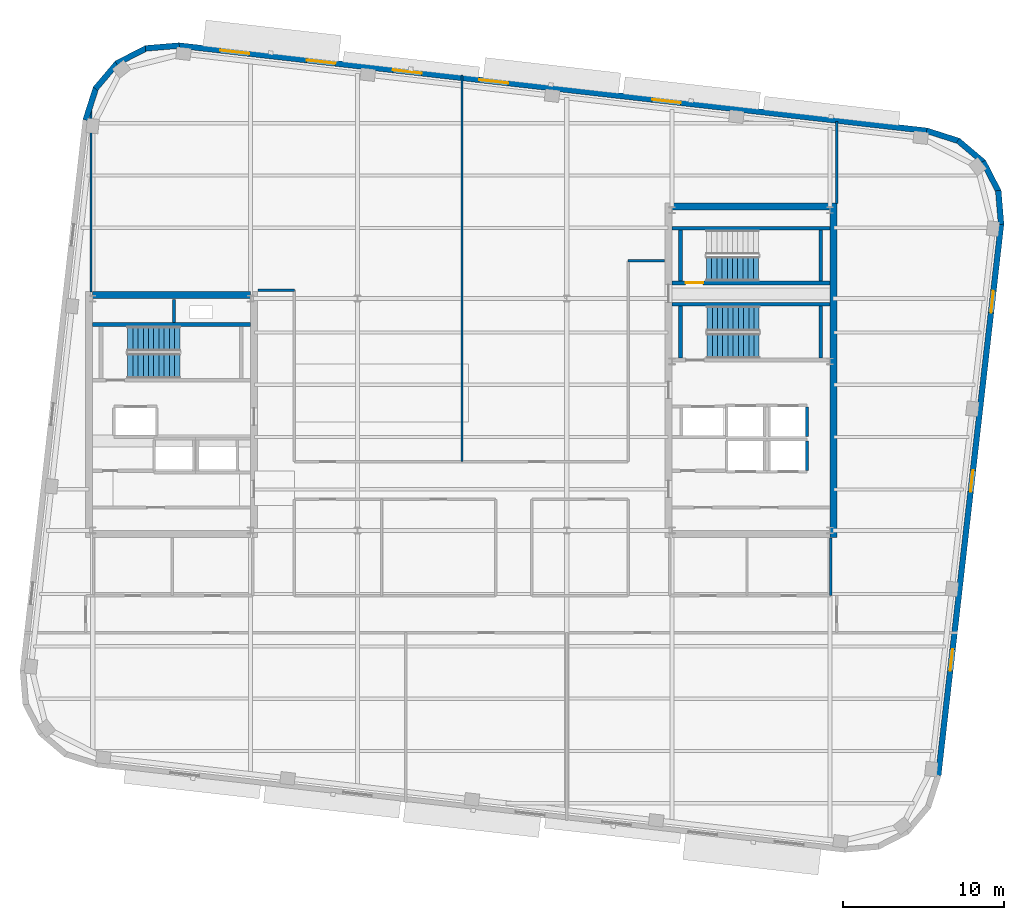
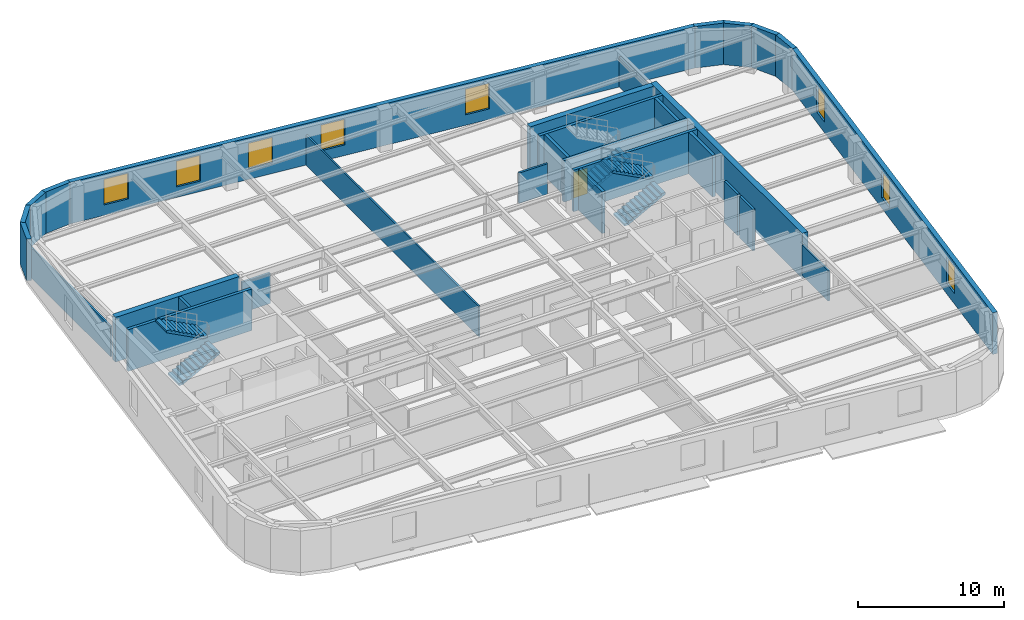
# One storey, part 8 of 13: 30 walls, 8 windows, 5 stair flights, 1 door, 9 openings, 3 elements without a shape of their own.
"""IFC4 building model written with IfcOpenShell, lengths in metres."""

from ifc_helpers import new_model, si_unit, direction, frame, frame_2d, origin, place, context, subcontext, project, spatial, polyline, rectangle, outline, extrude, material, layer, layer_set, type_object, element, fill, aggregate, save


model = new_model("IFC4")

# Units and contexts
model_context = context("Model", 3, precision=1e-05, world=origin(), true_north=direction((0.0, 1.0)))
body_context = subcontext(model_context, "Body", "Model", "MODEL_VIEW")
ifc_project = project(units=[si_unit("LENGTHUNIT", "METRE"), si_unit("AREAUNIT", "SQUARE_METRE"), si_unit("VOLUMEUNIT", "CUBIC_METRE"), si_unit("PLANEANGLEUNIT", "RADIAN"), si_unit("MASSUNIT", "GRAM", prefix="KILO")], contexts=[model_context])

# Site, building, storey
site_placement = place(None, origin())
site = spatial("IfcSite", under=ifc_project, at=site_placement, CompositionType="ELEMENT")
building_placement = place(site_placement, origin())
building = spatial("IfcBuilding", under=site, at=building_placement, Name="Kolvaren Arena Tower", CompositionType="ELEMENT")
storey_placement = place(building_placement, frame((0.0, 0.0, 262.199951171875)))
storey = spatial("IfcBuildingStorey", under=building, at=storey_placement, Name="L64", CompositionType="ELEMENT", Elevation=262.199951171875)

# Walls
ifc_material_1 = material(Name="Gypsum board acoustic assembly", Category="gypsum")
ifc_layer_1 = layer(ifc_material_1, 0.159912109375)
ifc_layer_set_1 = layer_set([ifc_layer_1], Name="Gypsum board acoustic assembly")
wall_type_1 = type_object("IfcWallType", Name="CORR-160", PredefinedType="PARTITIONING", material=ifc_layer_set_1)
for number, where, z_axis, x_axis, name in (
    (1, (24.820068359375, 34.3798828125, 0.0), (0.0, 0.0, 1.0), (1.0, 0.0, 0.0), "Interior Partition Wall (L64)"),
    (2, (47.820068359375, 36.199951171875, 0.0), (0.0, 0.0, 1.0), (1.0, 0.0, 0.0), "Interior Partition Wall (L64)"),
):
    element("IfcWall", number, at=place(storey_placement, frame(where, z_axis=z_axis, x_axis=x_axis)), inside=storey, type_object=wall_type_1, Name=name, PredefinedType="PARTITIONING", context=body_context, shape_type="SweptSolid", body=[
        extrude(rectangle(XDim=2.260009765625, YDim=0.159912109375, at=frame_2d((1.1298828125, 0.0))), origin(), (0.0, 0.0, 1.0), 2.5400390625),
    ])
ifc_material_2 = material(Name="Concrete 55 MPa", Category="concrete")
ifc_layer_2 = layer(ifc_material_2, 0.449951171875)
ifc_layer_set_2 = layer_set([ifc_layer_2], Name="Concrete 55 MPa")
wall_type_2 = type_object("IfcWallType", Name="CWALL-450", PredefinedType="SHEAR", material=ifc_layer_set_2)
wall_1_placement = place(storey_placement, frame((14.550048828125, 34.074951171875, -0.27001953125), z_axis=(0.0, 0.0, 1.0), x_axis=(1.0, 0.0, 0.0)))
element("IfcWall", 3, at=wall_1_placement, inside=storey, type_object=wall_type_2, Name="Core Shear Wall WC-NORTH (L64)", PredefinedType="SHEAR", context=body_context, shape_type="SweptSolid", body=[
    extrude(rectangle(XDim=9.800048828125, YDim=0.449951171875, at=frame_2d((4.89990234375, 0.0))), origin(), (0.0, 0.0, 1.0), 3.75),
])
wall_2_placement = place(storey_placement, frame((60.574951171875, 19.0, -0.27001953125), z_axis=(0.0, 0.0, 1.0), x_axis=(0.0, 1.0, 0.0)))
element("IfcWall", 4, at=wall_2_placement, inside=storey, type_object=wall_type_2, Name="Core Shear Wall EC-EAST (L64)", PredefinedType="SHEAR", context=body_context, shape_type="SweptSolid", body=[
    extrude(rectangle(XDim=20.800048828125, YDim=0.449951171875, at=frame_2d((10.39990234375, 0.0))), origin(), (0.0, 0.0, 1.0), 3.75),
])
wall_3_placement = place(storey_placement, frame((50.550048828125, 39.574951171875, -0.27001953125), z_axis=(0.0, 0.0, 1.0), x_axis=(1.0, 0.0, 0.0)))
element("IfcWall", 5, at=wall_3_placement, inside=storey, type_object=wall_type_2, Name="Core Shear Wall EC-NORTH (L64)", PredefinedType="SHEAR", context=body_context, shape_type="SweptSolid", body=[
    extrude(rectangle(XDim=9.800048828125, YDim=0.449951171875, at=frame_2d((4.89990234375, 0.0))), origin(), (0.0, 0.0, 1.0), 3.75),
])

# Wall, openings, windows
ifc_material_3 = material(Name="Precast concrete C50/60", Category="concrete")
ifc_layer_3 = layer(ifc_material_3, 0.360107421875)
ifc_layer_set_3 = layer_set([ifc_layer_3], Name="Precast concrete C50/60")
wall_type_3 = type_object("IfcWallType", Name="EXT-PIER2", PredefinedType="SOLIDWALL", material=ifc_layer_set_3)
wall_4_placement = place(storey_placement, frame((70.98876953125, 38.499267578125, 0.0), z_axis=(0.0, 0.0, 1.0), x_axis=(-0.113203107947, -0.993571867733, 0.0)))
wall_4 = element("IfcWall", 6, at=wall_4_placement, inside=storey, type_object=wall_type_3, Name="Exterior Precast Masonry-Frame Wall (L64)", PredefinedType="SOLIDWALL", context=body_context, shape_type="SweptSolid", body=[
    extrude(rectangle(XDim=34.5, YDim=0.360107421875, at=frame_2d((17.25, 0.0))), origin(), (0.0, 0.0, 1.0), 3.47998046875),
])
opening_1_placement = place(wall_4_placement, frame((4.199951171875, 0.0, 0.8798828125)))
opening_1 = element("IfcOpeningElement", 7, at=opening_1_placement, cuts=wall_4, Name="Opening W04", PredefinedType="OPENING", context=body_context, shape_type="SweptSolid", body=[
    extrude(rectangle(XDim=1.35009765625, YDim=2.199951171875, at=frame_2d((0.675048828125, 1.10009765625))), frame((0.0, 0.18994140625, 0.0), z_axis=(0.0, -1.0, 0.0), x_axis=(1.0, 0.0, 0.0)), (0.0, 0.0, 1.0), 0.380126953125),
])
opening_2_placement = place(wall_4_placement, frame((15.39990234375, 0.0, 0.8798828125)))
opening_2 = element("IfcOpeningElement", 8, at=opening_2_placement, cuts=wall_4, Name="Opening W04", PredefinedType="OPENING", context=body_context, shape_type="SweptSolid", body=[
    extrude(rectangle(XDim=1.35009765625, YDim=2.199951171875, at=frame_2d((0.675048828125, 1.10009765625))), frame((0.0, 0.18994140625, 0.0), z_axis=(0.0, -1.0, 0.0), x_axis=(1.0, 0.0, 0.0)), (0.0, 0.0, 1.0), 0.380126953125),
])
opening_3_placement = place(wall_4_placement, frame((26.60009765625, 0.0, 0.8798828125)))
opening_3 = element("IfcOpeningElement", 9, at=opening_3_placement, cuts=wall_4, Name="Opening W04", PredefinedType="OPENING", context=body_context, shape_type="SweptSolid", body=[
    extrude(rectangle(XDim=1.35009765625, YDim=2.199951171875, at=frame_2d((0.675048828125, 1.10009765625))), frame((0.0, 0.18994140625, 0.0), z_axis=(0.0, -1.0, 0.0), x_axis=(1.0, 0.0, 0.0)), (0.0, 0.0, 1.0), 0.380126953125),
])
ifc_material_4 = material(Name="Triple-glazed curved-facet corner window", Category="glass")
window_type_1 = type_object("IfcWindowType", Name="WIN-CRN-A", PartitioningType="SINGLE_PANEL", PredefinedType="WINDOW", material=ifc_material_4)
window_1_placement = place(opening_1_placement, origin())
window_1 = element("IfcWindow", 10, at=window_1_placement, inside=storey, type_object=window_type_1, Name="End-Wall Punched Window (L64)", OverallHeight=2.199951171875, OverallWidth=1.35009765625, PartitioningType="SINGLE_PANEL", PredefinedType="WINDOW", context=body_context, shape_type="SweptSolid", body=[
    extrude(rectangle(XDim=1.35009765625, YDim=2.199951171875, at=frame_2d((0.675048828125, 1.10009765625))), frame((0.0, 0.030029296875, 0.0), z_axis=(0.0, -1.0, 0.0), x_axis=(1.0, 0.0, 0.0)), (0.0, 0.0, 1.0), 0.06005859375),
])
fill(opening_1, window_1)
window_2_placement = place(opening_2_placement, origin())
window_2 = element("IfcWindow", 11, at=window_2_placement, inside=storey, type_object=window_type_1, Name="End-Wall Punched Window (L64)", OverallHeight=2.199951171875, OverallWidth=1.35009765625, PartitioningType="SINGLE_PANEL", PredefinedType="WINDOW", context=body_context, shape_type="SweptSolid", body=[
    extrude(rectangle(XDim=1.35009765625, YDim=2.199951171875, at=frame_2d((0.675048828125, 1.10009765625))), frame((0.0, 0.030029296875, 0.0), z_axis=(0.0, -1.0, 0.0), x_axis=(1.0, 0.0, 0.0)), (0.0, 0.0, 1.0), 0.06005859375),
])
fill(opening_2, window_2)
window_3_placement = place(opening_3_placement, origin())
window_3 = element("IfcWindow", 12, at=window_3_placement, inside=storey, type_object=window_type_1, Name="End-Wall Punched Window (L64)", OverallHeight=2.199951171875, OverallWidth=1.35009765625, PartitioningType="SINGLE_PANEL", PredefinedType="WINDOW", context=body_context, shape_type="SweptSolid", body=[
    extrude(rectangle(XDim=1.35009765625, YDim=2.199951171875, at=frame_2d((0.675048828125, 1.10009765625))), frame((0.0, 0.030029296875, 0.0), z_axis=(0.0, -1.0, 0.0), x_axis=(1.0, 0.0, 0.0)), (0.0, 0.0, 1.0), 0.06005859375),
])
fill(opening_3, window_3)

# Walls
wall_5_placement = place(storey_placement, frame((70.813720703125, 40.563720703125, 0.0), z_axis=(0.0, 0.0, 1.0), x_axis=(0.082853678144, -0.996561723135, 0.0)))
element("IfcWall", 13, at=wall_5_placement, inside=storey, type_object=wall_type_3, Name="Exterior Precast Masonry-Frame Wall (L64)", PredefinedType="SOLIDWALL", context=body_context, shape_type="SweptSolid", body=[
    extrude(rectangle(XDim=2.10693359375, YDim=0.360107421875, at=frame_2d((1.053466796875, 0.0))), origin(), (0.0, 0.0, 1.0), 3.47998046875),
])
for number, where, z_axis, x_axis, name in (
    (14, (69.868408203125, 42.369384765625, 0.0), (0.0, 0.0, 1.0), (0.457887222333, -0.889010287693, 0.0), "Exterior Precast Masonry-Frame Wall (L64)"),
    (15, (68.303955078125, 43.67578125, 0.0), (0.0, 0.0, 1.0), (0.763192878975, -0.646170743289, 0.0), "Exterior Precast Masonry-Frame Wall (L64)"),
    (16, (66.358642578125, 44.283935546875, 0.0), (0.0, 0.0, 1.0), (0.952403965565, -0.304838787518, 0.0), "Exterior Precast Masonry-Frame Wall (L64)"),
):
    element("IfcWall", number, at=place(storey_placement, frame(where, z_axis=z_axis, x_axis=x_axis)), inside=storey, type_object=wall_type_3, Name=name, PredefinedType="SOLIDWALL", context=body_context, shape_type="SweptSolid", body=[
        extrude(rectangle(XDim=2.107177734375, YDim=0.360107421875, at=frame_2d((1.0537109375, 0.0))), origin(), (0.0, 0.0, 1.0), 3.47998046875),
    ])

# Wall, openings, windows
wall_6_placement = place(storey_placement, frame((19.89404296875, 49.57470703125, 0.0), z_axis=(0.0, 0.0, 1.0), x_axis=(0.993571439016, -0.113206870688, 0.0)))
wall_6 = element("IfcWall", 17, at=wall_6_placement, inside=storey, type_object=wall_type_3, Name="Exterior Precast Masonry-Frame Wall (L64)", PredefinedType="SOLIDWALL", context=body_context, shape_type="SweptSolid", body=[
    extrude(rectangle(XDim=46.800048828125, YDim=0.360107421875, at=frame_2d((23.39990234375, 0.0))), origin(), (0.0, 0.0, 1.0), 3.47998046875),
])
opening_4_placement = place(wall_6_placement, frame((2.60009765625, 0.0, 0.8798828125)))
opening_4 = element("IfcOpeningElement", 18, at=opening_4_placement, cuts=wall_6, Name="Opening W02", PredefinedType="OPENING", context=body_context, shape_type="SweptSolid", body=[
    extrude(rectangle(XDim=1.800048828125, YDim=2.14990234375, at=frame_2d((0.89990234375, 1.074951171875))), frame((0.0, 0.18994140625, 0.0), z_axis=(0.0, -1.0, 0.0), x_axis=(1.0, 0.0, 0.0)), (0.0, 0.0, 1.0), 0.380126953125),
])
opening_5_placement = place(wall_6_placement, frame((8.0, 0.0, 0.8798828125)))
opening_5 = element("IfcOpeningElement", 19, at=opening_5_placement, cuts=wall_6, Name="Opening W02", PredefinedType="OPENING", context=body_context, shape_type="SweptSolid", body=[
    extrude(rectangle(XDim=1.800048828125, YDim=2.14990234375, at=frame_2d((0.89990234375, 1.074951171875))), frame((0.0, 0.18994140625, 0.0), z_axis=(0.0, -1.0, 0.0), x_axis=(1.0, 0.0, 0.0)), (0.0, 0.0, 1.0), 0.380126953125),
])
opening_6_placement = place(wall_6_placement, frame((13.39990234375, 0.0, 0.8798828125)))
opening_6 = element("IfcOpeningElement", 20, at=opening_6_placement, cuts=wall_6, Name="Opening W02", PredefinedType="OPENING", context=body_context, shape_type="SweptSolid", body=[
    extrude(rectangle(XDim=1.800048828125, YDim=2.14990234375, at=frame_2d((0.89990234375, 1.074951171875))), frame((0.0, 0.18994140625, 0.0), z_axis=(0.0, -1.0, 0.0), x_axis=(1.0, 0.0, 0.0)), (0.0, 0.0, 1.0), 0.380126953125),
])
opening_7_placement = place(wall_6_placement, frame((18.800048828125, 0.0, 0.8798828125)))
opening_7 = element("IfcOpeningElement", 21, at=opening_7_placement, cuts=wall_6, Name="Opening W02", PredefinedType="OPENING", context=body_context, shape_type="SweptSolid", body=[
    extrude(rectangle(XDim=1.800048828125, YDim=2.14990234375, at=frame_2d((0.89990234375, 1.074951171875))), frame((0.0, 0.18994140625, 0.0), z_axis=(0.0, -1.0, 0.0), x_axis=(1.0, 0.0, 0.0)), (0.0, 0.0, 1.0), 0.380126953125),
])
opening_8_placement = place(wall_6_placement, frame((29.60009765625, 0.0, 0.8798828125)))
opening_8 = element("IfcOpeningElement", 22, at=opening_8_placement, cuts=wall_6, Name="Opening W02", PredefinedType="OPENING", context=body_context, shape_type="SweptSolid", body=[
    extrude(rectangle(XDim=1.800048828125, YDim=2.14990234375, at=frame_2d((0.89990234375, 1.074951171875))), frame((0.0, 0.18994140625, 0.0), z_axis=(0.0, -1.0, 0.0), x_axis=(1.0, 0.0, 0.0)), (0.0, 0.0, 1.0), 0.380126953125),
])
ifc_material_5 = material(Name="Triple-glazed low-E aluminium window", Category="aluminium")
window_type_2 = type_object("IfcWindowType", Name="WIN-OFF-B", PartitioningType="DOUBLE_PANEL_VERTICAL", PredefinedType="WINDOW", material=ifc_material_5)
window_4_placement = place(opening_4_placement, origin())
window_4 = element("IfcWindow", 23, at=window_4_placement, inside=storey, type_object=window_type_2, Name="Punched Precast-Pier Window (L64)", OverallHeight=2.14990234375, OverallWidth=1.800048828125, PartitioningType="DOUBLE_PANEL_VERTICAL", PredefinedType="WINDOW", context=body_context, shape_type="SweptSolid", body=[
    extrude(rectangle(XDim=1.800048828125, YDim=2.14990234375, at=frame_2d((0.89990234375, 1.074951171875))), frame((0.0, 0.030029296875, 0.0), z_axis=(0.0, -1.0, 0.0), x_axis=(1.0, 0.0, 0.0)), (0.0, 0.0, 1.0), 0.06005859375),
])
fill(opening_4, window_4)
window_5_placement = place(opening_5_placement, origin())
window_5 = element("IfcWindow", 24, at=window_5_placement, inside=storey, type_object=window_type_2, Name="Punched Precast-Pier Window (L64)", OverallHeight=2.14990234375, OverallWidth=1.800048828125, PartitioningType="DOUBLE_PANEL_VERTICAL", PredefinedType="WINDOW", context=body_context, shape_type="SweptSolid", body=[
    extrude(rectangle(XDim=1.800048828125, YDim=2.14990234375, at=frame_2d((0.89990234375, 1.074951171875))), frame((0.0, 0.030029296875, 0.0), z_axis=(0.0, -1.0, 0.0), x_axis=(1.0, 0.0, 0.0)), (0.0, 0.0, 1.0), 0.06005859375),
])
fill(opening_5, window_5)
window_6_placement = place(opening_6_placement, origin())
window_6 = element("IfcWindow", 25, at=window_6_placement, inside=storey, type_object=window_type_2, Name="Punched Precast-Pier Window (L64)", OverallHeight=2.14990234375, OverallWidth=1.800048828125, PartitioningType="DOUBLE_PANEL_VERTICAL", PredefinedType="WINDOW", context=body_context, shape_type="SweptSolid", body=[
    extrude(rectangle(XDim=1.800048828125, YDim=2.14990234375, at=frame_2d((0.89990234375, 1.074951171875))), frame((0.0, 0.030029296875, 0.0), z_axis=(0.0, -1.0, 0.0), x_axis=(1.0, 0.0, 0.0)), (0.0, 0.0, 1.0), 0.06005859375),
])
fill(opening_6, window_6)
window_7_placement = place(opening_7_placement, origin())
window_7 = element("IfcWindow", 26, at=window_7_placement, inside=storey, type_object=window_type_2, Name="Punched Precast-Pier Window (L64)", OverallHeight=2.14990234375, OverallWidth=1.800048828125, PartitioningType="DOUBLE_PANEL_VERTICAL", PredefinedType="WINDOW", context=body_context, shape_type="SweptSolid", body=[
    extrude(rectangle(XDim=1.800048828125, YDim=2.14990234375, at=frame_2d((0.89990234375, 1.074951171875))), frame((0.0, 0.030029296875, 0.0), z_axis=(0.0, -1.0, 0.0), x_axis=(1.0, 0.0, 0.0)), (0.0, 0.0, 1.0), 0.06005859375),
])
fill(opening_7, window_7)
window_8_placement = place(opening_8_placement, origin())
window_8 = element("IfcWindow", 27, at=window_8_placement, inside=storey, type_object=window_type_2, Name="Punched Precast-Pier Window (L64)", OverallHeight=2.14990234375, OverallWidth=1.800048828125, PartitioningType="DOUBLE_PANEL_VERTICAL", PredefinedType="WINDOW", context=body_context, shape_type="SweptSolid", body=[
    extrude(rectangle(XDim=1.800048828125, YDim=2.14990234375, at=frame_2d((0.89990234375, 1.074951171875))), frame((0.0, 0.030029296875, 0.0), z_axis=(0.0, -1.0, 0.0), x_axis=(1.0, 0.0, 0.0)), (0.0, 0.0, 1.0), 0.06005859375),
])
fill(opening_8, window_8)

# Walls
for number, where, z_axis, x_axis, name in (
    (28, (17.82958984375, 49.3994140625, 0.0), (0.0, 0.0, 1.0), (0.996562518477, 0.082844111233, 0.0), "Exterior Precast Masonry-Frame Wall (L64)"),
    (29, (16.02392578125, 48.4541015625, 0.0), (0.0, 0.0, 1.0), (0.889010287693, 0.457887222333, 0.0), "Exterior Precast Masonry-Frame Wall (L64)"),
    (30, (14.717529296875, 46.8896484375, 0.0), (0.0, 0.0, 1.0), (0.646170743289, 0.763192878975, 0.0), "Exterior Precast Masonry-Frame Wall (L64)"),
):
    element("IfcWall", number, at=place(storey_placement, frame(where, z_axis=z_axis, x_axis=x_axis)), inside=storey, type_object=wall_type_3, Name=name, PredefinedType="SOLIDWALL", context=body_context, shape_type="SweptSolid", body=[
        extrude(rectangle(XDim=2.107177734375, YDim=0.360107421875, at=frame_2d((1.0537109375, 0.0))), origin(), (0.0, 0.0, 1.0), 3.47998046875),
    ])
wall_7_placement = place(storey_placement, frame((14.109375, 44.944580078125, 0.0), z_axis=(0.0, 0.0, 1.0), x_axis=(0.304872429864, 0.952393196904, 0.0)))
element("IfcWall", 31, at=wall_7_placement, inside=storey, type_object=wall_type_3, Name="Exterior Precast Masonry-Frame Wall (L64)", PredefinedType="SOLIDWALL", context=body_context, shape_type="SweptSolid", body=[
    extrude(rectangle(XDim=2.10693359375, YDim=0.360107421875, at=frame_2d((1.053466796875, 0.0))), origin(), (0.0, 0.0, 1.0), 3.47998046875),
])
ifc_material_6 = material(Name="Gypsum board partition assembly", Category="gypsum")
ifc_layer_4 = layer(ifc_material_6, 0.135009765625)
ifc_layer_set_4 = layer_set([ifc_layer_4], Name="Gypsum board partition assembly")
wall_type_4 = type_object("IfcWallType", Name="PART-135", PredefinedType="PARTITIONING", material=ifc_layer_set_4)
wall_8_placement = place(storey_placement, frame((37.5, 23.719970703125, 0.0), z_axis=(0.0, 0.0, 1.0), x_axis=(0.0, 1.0, 0.0)))
element("IfcWall", 32, at=wall_8_placement, inside=storey, type_object=wall_type_4, Name="Interior Partition Wall (L64)", PredefinedType="PARTITIONING", context=body_context, shape_type="SweptSolid", body=[
    extrude(rectangle(XDim=24.02978515625, YDim=0.135009765625, at=frame_2d((12.014892578125, 0.0))), origin(), (0.0, 0.0, 1.0), 2.5400390625),
])
wall_9_placement = place(storey_placement, frame((14.449951171875, 34.25, 0.0), z_axis=(0.0, 0.0, 1.0), x_axis=(0.0, 1.0, 0.0)))
element("IfcWall", 33, at=wall_9_placement, inside=storey, type_object=wall_type_4, Name="Interior Partition Wall (L64)", PredefinedType="PARTITIONING", context=body_context, shape_type="SweptSolid", body=[
    extrude(rectangle(XDim=11.56201171875, YDim=0.135009765625, at=frame_2d((5.781005859375, 0.0))), origin(), (0.0, 0.0, 1.0), 2.5400390625),
])
wall_10_placement = place(storey_placement, frame((60.780029296875, 39.75, 0.0), z_axis=(0.0, 0.0, 1.0), x_axis=(0.0, 1.0, 0.0)))
element("IfcWall", 34, at=wall_10_placement, inside=storey, type_object=wall_type_4, Name="Interior Partition Wall (L64)", PredefinedType="PARTITIONING", context=body_context, shape_type="SweptSolid", body=[
    extrude(rectangle(XDim=5.105712890625, YDim=0.135009765625, at=frame_2d((2.552734375, 0.0))), origin(), (0.0, 0.0, 1.0), 2.5400390625),
])
ifc_material_7 = material(Name="Concrete 45 MPa", Category="concrete")
ifc_layer_5 = layer(ifc_material_7, 0.25)
ifc_layer_set_5 = layer_set([ifc_layer_5], Name="Concrete 45 MPa")
wall_type_5 = type_object("IfcWallType", Name="SHAFT-250", PredefinedType="SOLIDWALL", material=ifc_layer_set_5)
for number, where, z_axis, x_axis, name in (
    (35, (14.550048828125, 32.25, 0.0), (0.0, 0.0, 1.0), (1.0, 0.0, 0.0), "Core Shaft Wall (L64)"),
    (36, (50.550048828125, 33.5, 0.0), (0.0, 0.0, 1.0), (1.0, 0.0, 0.0), "Core Shaft Wall (L64)"),
):
    element("IfcWall", number, at=place(storey_placement, frame(where, z_axis=z_axis, x_axis=x_axis)), inside=storey, type_object=wall_type_5, Name=name, PredefinedType="SOLIDWALL", context=body_context, shape_type="SweptSolid", body=[
        extrude(rectangle(XDim=9.800048828125, YDim=0.239990234375, at=frame_2d((4.89990234375, 0.0))), origin(), (0.0, 0.0, 1.0), 3.47998046875),
    ])
for number, where, z_axis, x_axis, name in (
    (37, (51.06005859375, 30.14990234375, 0.0), (0.0, 0.0, 1.0), (0.0, 1.0, 0.0), "Core Shaft Wall (L64)"),
    (38, (59.780029296875, 30.14990234375, 0.0), (0.0, 0.0, 1.0), (0.0, 1.0, 0.0), "Core Shaft Wall (L64)"),
):
    element("IfcWall", number, at=place(storey_placement, frame(where, z_axis=z_axis, x_axis=x_axis)), inside=storey, type_object=wall_type_5, Name=name, PredefinedType="SOLIDWALL", context=body_context, shape_type="SweptSolid", body=[
        extrude(rectangle(XDim=3.22998046875, YDim=0.239990234375, at=frame_2d((1.614990234375, 0.0))), origin(), (0.0, 0.0, 1.0), 3.47998046875),
    ])

# Wall, opening, door
wall_11_placement = place(storey_placement, frame((60.35009765625, 34.830078125, 0.0), z_axis=(0.0, 0.0, 1.0), x_axis=(-1.0, 0.0, 0.0)))
wall_11 = element("IfcWall", 39, at=wall_11_placement, inside=storey, type_object=wall_type_5, Name="Core Shaft Wall (L64)", PredefinedType="SOLIDWALL", context=body_context, shape_type="SweptSolid", body=[
    extrude(rectangle(XDim=9.800048828125, YDim=0.239990234375, at=frame_2d((4.89990234375, 0.0))), origin(), (0.0, 0.0, 1.0), 3.47998046875),
])
opening_9_placement = place(wall_11_placement, frame((7.8701171875, 0.0, 0.0)))
opening_9 = element("IfcOpeningElement", 40, at=opening_9_placement, cuts=wall_11, Name="Opening D03", PredefinedType="OPENING", context=body_context, shape_type="SweptSolid", body=[
    extrude(rectangle(XDim=1.10009765625, YDim=2.14990234375, at=frame_2d((0.550048828125, 1.074951171875))), frame((0.0, 0.1298828125, 0.0), z_axis=(0.0, -1.0, 0.0), x_axis=(1.0, 0.0, 0.0)), (0.0, 0.0, 1.0), 0.260009765625),
])
ifc_material_8 = material(Name="Fire-rated steel exit stair door", Category="steel")
door_type = type_object("IfcDoorType", Name="DOOR-ST-110", OperationType="NOTDEFINED", PredefinedType="DOOR", material=ifc_material_8)
door_placement = place(opening_9_placement, origin())
door = element("IfcDoor", 41, at=door_placement, inside=storey, type_object=door_type, Name="Stair ST-E2 Fire Door (L64)", OperationType="SINGLE_SWING_LEFT", OverallHeight=2.14990234375, OverallWidth=1.10009765625, PredefinedType="DOOR", context=body_context, shape_type="SweptSolid", body=[
    extrude(rectangle(XDim=1.10009765625, YDim=2.14990234375, at=frame_2d((0.550048828125, 1.074951171875))), frame((0.0, 0.02490234375, 0.0), z_axis=(0.0, -1.0, 0.0), x_axis=(1.0, 0.0, 0.0)), (0.0, 0.0, 1.0), 0.050048828125),
])
fill(opening_9, door)

# Walls
wall_12_placement = place(storey_placement, frame((50.550048828125, 38.219970703125, 0.0), z_axis=(0.0, 0.0, 1.0), x_axis=(1.0, 0.0, 0.0)))
element("IfcWall", 42, at=wall_12_placement, inside=storey, type_object=wall_type_5, Name="Core Shaft Wall (L64)", PredefinedType="SOLIDWALL", context=body_context, shape_type="SweptSolid", body=[
    extrude(rectangle(XDim=9.800048828125, YDim=0.239990234375, at=frame_2d((4.89990234375, 0.0))), origin(), (0.0, 0.0, 1.0), 3.47998046875),
])
for number, where, z_axis, x_axis, name in (
    (43, (51.06005859375, 34.949951171875, 0.0), (0.0, 0.0, 1.0), (0.0, 1.0, 0.0), "Core Shaft Wall (L64)"),
    (44, (59.780029296875, 34.949951171875, 0.0), (0.0, 0.0, 1.0), (0.0, 1.0, 0.0), "Core Shaft Wall (L64)"),
):
    element("IfcWall", number, at=place(storey_placement, frame(where, z_axis=z_axis, x_axis=x_axis)), inside=storey, type_object=wall_type_5, Name=name, PredefinedType="SOLIDWALL", context=body_context, shape_type="SweptSolid", body=[
        extrude(rectangle(XDim=3.150146484375, YDim=0.239990234375, at=frame_2d((1.5751953125, 0.0))), origin(), (0.0, 0.0, 1.0), 3.47998046875),
    ])
wall_13_placement = place(storey_placement, frame((19.60009765625, 32.3701171875, 0.0), z_axis=(0.0, 0.0, 1.0), x_axis=(0.0, 1.0, 0.0)))
element("IfcWall", 45, at=wall_13_placement, inside=storey, type_object=wall_type_5, Name="Core Shaft Wall (L64)", PredefinedType="SOLIDWALL", context=body_context, shape_type="SweptSolid", body=[
    extrude(rectangle(XDim=1.429931640625, YDim=0.199951171875, at=frame_2d((0.71484375, 0.0))), origin(), (0.0, 0.0, 1.0), 3.47998046875),
])
wall_14_placement = place(storey_placement, frame((58.93994140625, 23.18505859375, 0.0), z_axis=(0.0, 0.0, 1.0), x_axis=(0.0, 1.0, 0.0)))
element("IfcWall", 46, at=wall_14_placement, inside=storey, type_object=wall_type_5, Name="Core Shaft Wall (L64)", PredefinedType="SOLIDWALL", context=body_context, shape_type="SweptSolid", body=[
    extrude(rectangle(XDim=1.829833984375, YDim=0.179931640625, at=frame_2d((0.9150390625, 0.0))), origin(), (0.0, 0.0, 1.0), 3.47998046875),
])
wall_15_placement = place(storey_placement, frame((58.93994140625, 25.284912109375, 0.0), z_axis=(0.0, 0.0, 1.0), x_axis=(0.0, 1.0, 0.0)))
element("IfcWall", 47, at=wall_15_placement, inside=storey, type_object=wall_type_5, Name="Core Shaft Wall (L64)", PredefinedType="SOLIDWALL", context=body_context, shape_type="SweptSolid", body=[
    extrude(rectangle(XDim=1.830078125, YDim=0.179931640625, at=frame_2d((0.9150390625, 0.0))), origin(), (0.0, 0.0, 1.0), 3.47998046875),
])
ifc_material_9 = material(Name="Moisture-resistant gypsum assembly", Category="gypsum")
ifc_layer_6 = layer(ifc_material_9, 0.14990234375)
ifc_layer_set_6 = layer_set([ifc_layer_6], Name="Moisture-resistant gypsum assembly")
wall_type_6 = type_object("IfcWallType", Name="WETW-150", PredefinedType="PARTITIONING", material=ifc_layer_set_6)
wall_16_placement = place(storey_placement, frame((60.39990234375, 15.39990234375, 0.0), z_axis=(0.0, 0.0, 1.0), x_axis=(0.0, 1.0, 0.0)))
element("IfcWall", 48, at=wall_16_placement, inside=storey, type_object=wall_type_6, Name="Interior Partition Wall (L64)", PredefinedType="PARTITIONING", context=body_context, shape_type="SweptSolid", body=[
    extrude(rectangle(XDim=3.580078125, YDim=0.14990234375, at=frame_2d((1.7900390625, 0.0))), origin(), (0.0, 0.0, 1.0), 2.5400390625),
])

# Stair, stair flight
stair_type_1 = type_object("IfcStairType", Name="STAIR-CORE-150", PredefinedType="HALF_TURN_STAIR", material=ifc_material_7)
stair_1_placement = place(storey_placement, origin())
stair_1 = element("IfcStair", 49, at=stair_1_placement, inside=storey, type_object=stair_type_1, Name="L64 ST-E2", PredefinedType="HALF_TURN_STAIR")
stair_flight_type_1 = type_object("IfcStairFlightType", Name="FLT-150", PredefinedType="STRAIGHT", material=ifc_material_7)
stair_flight_1_placement = place(storey_placement, frame((52.679931640625, 35.699951171875, 0.0), z_axis=(0.0, 0.0, 1.0), x_axis=(1.0, 0.0, 0.0)))
stair_flight_1 = element("IfcStairFlight", 50, at=stair_flight_1_placement, type_object=stair_flight_type_1, Name="ST-E2 flight 1", NumberOfRisers=11, NumberOfTreads=10, PredefinedType="STRAIGHT", RiserHeight=0.170454545, TreadLength=0.324, context=body_context, shape_type="SweptSolid", body=[
    extrude(outline(polyline([(0.0, 0.0), (0.0, 0.17041015625), (0.323974609375, 0.17041015625), (0.323974609375, 0.3408203125), (0.64794921875, 0.3408203125), (0.64794921875, 0.511474609375), (0.971923828125, 0.511474609375), (0.971923828125, 0.681884765625), (1.2958984375, 0.681884765625), (1.2958984375, 0.852294921875), (1.6201171875, 0.852294921875), (1.6201171875, 1.022705078125), (1.944091796875, 1.022705078125), (1.944091796875, 1.193115234375), (2.26806640625, 1.193115234375), (2.26806640625, 1.363525390625), (2.592041015625, 1.363525390625), (2.592041015625, 1.5341796875), (2.916015625, 1.5341796875), (2.916015625, 1.70458984375), (3.239990234375, 1.70458984375), (3.239990234375, 1.875), (3.239990234375, 1.53515625), (0.322021484375, 0.0), (0.0, 0.0)])), frame((0.0, 0.75, 0.0), z_axis=(0.0, -1.0, 0.0), x_axis=(1.0, 0.0, 0.0)), (0.0, 0.0, 1.0), 1.5),
])
aggregate(stair_1, [stair_flight_1])

# Stair, stair flights
stair_type_2 = type_object("IfcStairType", Name="STAIR-CORE-165", PredefinedType="HALF_TURN_STAIR", material=ifc_material_7)
stair_2_placement = place(storey_placement, origin())
stair_2 = element("IfcStair", 51, at=stair_2_placement, inside=storey, type_object=stair_type_2, Name="L64 ST-W1", PredefinedType="HALF_TURN_STAIR")
stair_flight_type_2 = type_object("IfcStairFlightType", Name="FLT-165", PredefinedType="STRAIGHT", material=ifc_material_7)
stair_flight_2_placement = place(storey_placement, frame((16.719970703125, 29.669921875, 0.0), z_axis=(0.0, 0.0, 1.0), x_axis=(1.0, 0.0, 0.0)))
stair_flight_2 = element("IfcStairFlight", 52, at=stair_flight_2_placement, type_object=stair_flight_type_2, Name="ST-W1 flight 1", NumberOfRisers=11, NumberOfTreads=10, PredefinedType="STRAIGHT", RiserHeight=0.170454545, TreadLength=0.324, context=body_context, shape_type="SweptSolid", body=[
    extrude(outline(polyline([(0.0, 0.0), (0.0, 0.17041015625), (0.323974609375, 0.17041015625), (0.323974609375, 0.3408203125), (0.64794921875, 0.3408203125), (0.64794921875, 0.511474609375), (0.971923828125, 0.511474609375), (0.971923828125, 0.681884765625), (1.2958984375, 0.681884765625), (1.2958984375, 0.852294921875), (1.6201171875, 0.852294921875), (1.6201171875, 1.022705078125), (1.944091796875, 1.022705078125), (1.944091796875, 1.193115234375), (2.26806640625, 1.193115234375), (2.26806640625, 1.363525390625), (2.592041015625, 1.363525390625), (2.592041015625, 1.5341796875), (2.916015625, 1.5341796875), (2.916015625, 1.70458984375), (3.239990234375, 1.70458984375), (3.239990234375, 1.875), (3.239990234375, 1.53515625), (0.322021484375, 0.0), (0.0, 0.0)])), frame((0.0, 0.77001953125, 0.0), z_axis=(0.0, -1.0, 0.0), x_axis=(1.0, 0.0, 0.0)), (0.0, 0.0, 1.0), 1.5400390625),
])
stair_flight_3_placement = place(storey_placement, frame((19.9599609375, 31.360107421875, 1.875), z_axis=(0.0, 0.0, 1.0), x_axis=(-1.0, 0.0, 0.0)))
stair_flight_3 = element("IfcStairFlight", 53, at=stair_flight_3_placement, type_object=stair_flight_type_2, Name="ST-W1 flight 2", NumberOfRisers=11, NumberOfTreads=10, PredefinedType="STRAIGHT", RiserHeight=0.170454545, TreadLength=0.324, context=body_context, shape_type="SweptSolid", body=[
    extrude(outline(polyline([(0.0, 0.0), (0.0, 0.17041015625), (0.323974609375, 0.17041015625), (0.323974609375, 0.3408203125), (0.64794921875, 0.3408203125), (0.64794921875, 0.511474609375), (0.971923828125, 0.511474609375), (0.971923828125, 0.681884765625), (1.2958984375, 0.681884765625), (1.2958984375, 0.852294921875), (1.6201171875, 0.852294921875), (1.6201171875, 1.022705078125), (1.944091796875, 1.022705078125), (1.944091796875, 1.193115234375), (2.26806640625, 1.193115234375), (2.26806640625, 1.363525390625), (2.592041015625, 1.363525390625), (2.592041015625, 1.5341796875), (2.916015625, 1.5341796875), (2.916015625, 1.70458984375), (3.239990234375, 1.70458984375), (3.239990234375, 1.875), (3.239990234375, 1.53515625), (0.322021484375, 0.0), (0.0, 0.0)])), frame((0.0, 0.77001953125, 0.0), z_axis=(0.0, -1.0, 0.0), x_axis=(1.0, 0.0, 0.0)), (0.0, 0.0, 1.0), 1.5400390625),
])
aggregate(stair_2, [stair_flight_2, stair_flight_3])

stair_3_placement = place(storey_placement, origin())
stair_3 = element("IfcStair", 54, at=stair_3_placement, inside=storey, type_object=stair_type_2, Name="L64 ST-E1", PredefinedType="HALF_TURN_STAIR")
stair_flight_4_placement = place(storey_placement, frame((52.719970703125, 30.919921875, 0.0), z_axis=(0.0, 0.0, 1.0), x_axis=(1.0, 0.0, 0.0)))
stair_flight_4 = element("IfcStairFlight", 55, at=stair_flight_4_placement, type_object=stair_flight_type_2, Name="ST-E1 flight 1", NumberOfRisers=11, NumberOfTreads=10, PredefinedType="STRAIGHT", RiserHeight=0.170454545, TreadLength=0.324, context=body_context, shape_type="SweptSolid", body=[
    extrude(outline(polyline([(0.0, 0.0), (0.0, 0.17041015625), (0.323974609375, 0.17041015625), (0.323974609375, 0.3408203125), (0.64794921875, 0.3408203125), (0.64794921875, 0.511474609375), (0.971923828125, 0.511474609375), (0.971923828125, 0.681884765625), (1.2958984375, 0.681884765625), (1.2958984375, 0.852294921875), (1.6201171875, 0.852294921875), (1.6201171875, 1.022705078125), (1.944091796875, 1.022705078125), (1.944091796875, 1.193115234375), (2.26806640625, 1.193115234375), (2.26806640625, 1.363525390625), (2.592041015625, 1.363525390625), (2.592041015625, 1.5341796875), (2.916015625, 1.5341796875), (2.916015625, 1.70458984375), (3.239990234375, 1.70458984375), (3.239990234375, 1.875), (3.239990234375, 1.53515625), (0.322021484375, 0.0), (0.0, 0.0)])), frame((0.0, 0.77001953125, 0.0), z_axis=(0.0, -1.0, 0.0), x_axis=(1.0, 0.0, 0.0)), (0.0, 0.0, 1.0), 1.5400390625),
])
stair_flight_5_placement = place(storey_placement, frame((55.9599609375, 32.610107421875, 1.875), z_axis=(0.0, 0.0, 1.0), x_axis=(-1.0, 0.0, 0.0)))
stair_flight_5 = element("IfcStairFlight", 56, at=stair_flight_5_placement, type_object=stair_flight_type_2, Name="ST-E1 flight 2", NumberOfRisers=11, NumberOfTreads=10, PredefinedType="STRAIGHT", RiserHeight=0.170454545, TreadLength=0.324, context=body_context, shape_type="SweptSolid", body=[
    extrude(outline(polyline([(0.0, 0.0), (0.0, 0.17041015625), (0.323974609375, 0.17041015625), (0.323974609375, 0.3408203125), (0.64794921875, 0.3408203125), (0.64794921875, 0.511474609375), (0.971923828125, 0.511474609375), (0.971923828125, 0.681884765625), (1.2958984375, 0.681884765625), (1.2958984375, 0.852294921875), (1.6201171875, 0.852294921875), (1.6201171875, 1.022705078125), (1.944091796875, 1.022705078125), (1.944091796875, 1.193115234375), (2.26806640625, 1.193115234375), (2.26806640625, 1.363525390625), (2.592041015625, 1.363525390625), (2.592041015625, 1.5341796875), (2.916015625, 1.5341796875), (2.916015625, 1.70458984375), (3.239990234375, 1.70458984375), (3.239990234375, 1.875), (3.239990234375, 1.53515625), (0.322021484375, 0.0), (0.0, 0.0)])), frame((0.0, 0.77001953125, 0.0), z_axis=(0.0, -1.0, 0.0), x_axis=(1.0, 0.0, 0.0)), (0.0, 0.0, 1.0), 1.5400390625),
])
aggregate(stair_3, [stair_flight_4, stair_flight_5])

save(model, "model.ifc")
